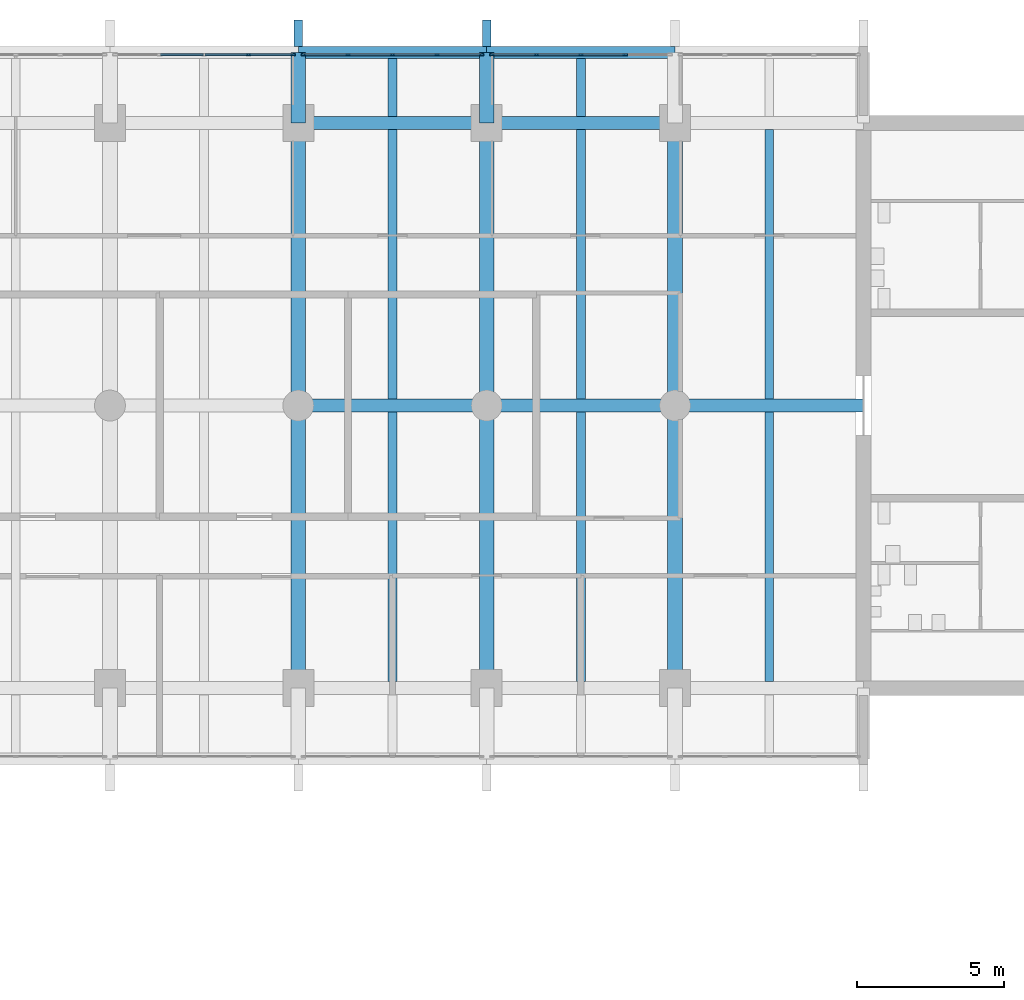
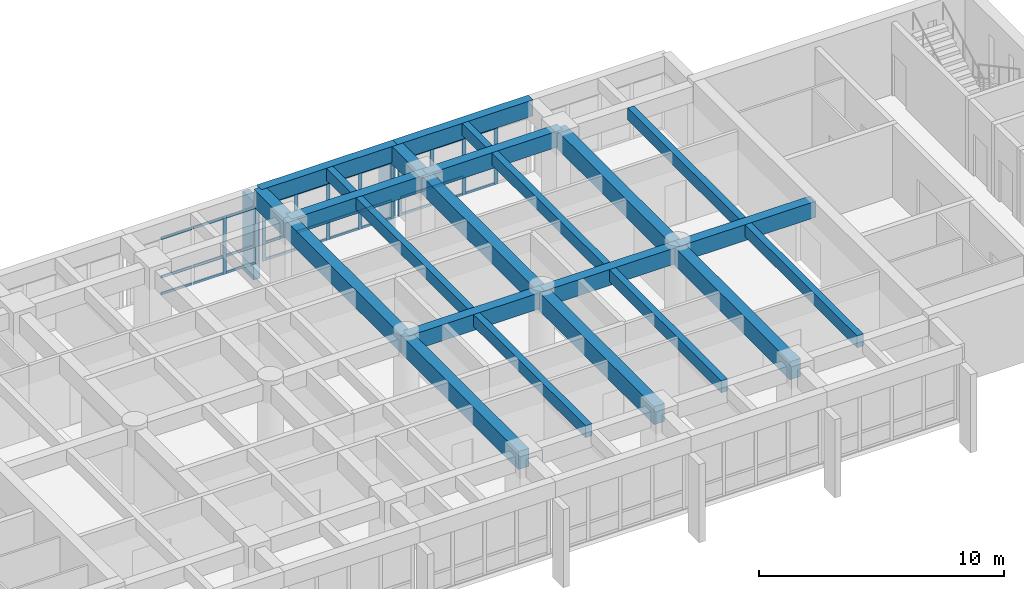
# One storey, part 5 of 19: 43 members, 23 beams, 3 elements without a shape of their own.
"""IFC4 building model written with IfcOpenShell, lengths in metres."""

from ifc_helpers import new_model, si_unit, direction, frame, origin, origin_2d, place, context, subcontext, project, spatial, rectangle, extrude, material, layer, layer_set, material_profile, profile_set, type_object, element, aggregate, save


model = new_model("IFC4")

# Units and contexts
model_context = context("Model", 3, precision=1e-05, world=origin(), true_north=direction((0.0, 1.0)))
body_context = subcontext(model_context, "Body", "Model", "MODEL_VIEW")
ifc_project = project(units=[si_unit("LENGTHUNIT", "METRE"), si_unit("AREAUNIT", "SQUARE_METRE"), si_unit("VOLUMEUNIT", "CUBIC_METRE"), si_unit("PLANEANGLEUNIT", "RADIAN"), si_unit("MASSUNIT", "GRAM", prefix="KILO")], contexts=[model_context])

# Site, building, storey
site_placement = place(None, origin())
site = spatial("IfcSite", under=ifc_project, at=site_placement, CompositionType="ELEMENT")
building_placement = place(site_placement, origin())
building = spatial("IfcBuilding", under=site, at=building_placement, Name="Fogon Plaza Fire Station and Headquarters Tower", CompositionType="ELEMENT")
storey_placement = place(building_placement, frame((0.0, 0.0, 21.0)))
storey = spatial("IfcBuildingStorey", under=building, at=storey_placement, Name="L05", CompositionType="ELEMENT", Elevation=21.0)

# Beams
ifc_material_1 = material(Name="Concrete C40", Category="concrete")
ifc_material_profile_1 = material_profile(ifc_material_1, rectangle(XDim=0.39990234375, YDim=0.800048828125, at=origin_2d()), Name="RC 400x800")
ifc_profile_set_1 = profile_set([ifc_material_profile_1], Name="Concrete C40")
beam_type_1 = type_object("IfcBeamType", Name="BEAM RC 400x800", PredefinedType="BEAM", material=ifc_profile_set_1)
beam_1_placement = place(storey_placement, frame((44.800048828125, 55.199951171875, 3.280029296875), z_axis=(1.0, 0.0, 0.0), x_axis=(0.0, 1.0, 0.0)))
element("IfcBeam", 1, at=beam_1_placement, inside=storey, type_object=beam_type_1, Name="beam-L05-048", PredefinedType="BEAM", context=body_context, shape_type="SweptSolid", body=[
    extrude(rectangle(XDim=0.39990234375, YDim=0.800048828125, at=origin_2d()), origin(), (0.0, 0.0, 1.0), 6.39990234375),
])
beam_2_placement = place(storey_placement, frame((51.199951171875, 55.199951171875, 3.280029296875), z_axis=(1.0, 0.0, 0.0), x_axis=(0.0, 1.0, 0.0)))
element("IfcBeam", 2, at=beam_2_placement, inside=storey, type_object=beam_type_1, Name="beam-L05-049", PredefinedType="BEAM", context=body_context, shape_type="SweptSolid", body=[
    extrude(rectangle(XDim=0.39990234375, YDim=0.800048828125, at=origin_2d()), origin(), (0.0, 0.0, 1.0), 6.400146484375),
])
ifc_material_2 = material(Name="Concrete C40", Category="concrete")
ifc_material_profile_2 = material_profile(ifc_material_2, rectangle(XDim=0.449951171875, YDim=0.800048828125, at=origin_2d()), Name="RC 450x800")
ifc_profile_set_2 = profile_set([ifc_material_profile_2], Name="Concrete C40")
beam_type_2 = type_object("IfcBeamType", Name="BEAM RC 450x800", PredefinedType="BEAM", material=ifc_profile_set_2)
beam_3_placement = place(storey_placement, frame((44.800048828125, 43.199951171875, 3.280029296875), z_axis=(1.0, 0.0, 0.0), x_axis=(0.0, 1.0, 0.0)))
element("IfcBeam", 3, at=beam_3_placement, inside=storey, type_object=beam_type_2, Name="beam-L05-030", PredefinedType="BEAM", context=body_context, shape_type="SweptSolid", body=[
    extrude(rectangle(XDim=0.449951171875, YDim=0.800048828125, at=origin_2d()), origin(), (0.0, 0.0, 1.0), 6.39990234375),
])
beam_4_placement = place(storey_placement, frame((51.199951171875, 43.199951171875, 3.280029296875), z_axis=(1.0, 0.0, 0.0), x_axis=(0.0, 1.0, 0.0)))
element("IfcBeam", 4, at=beam_4_placement, inside=storey, type_object=beam_type_2, Name="beam-L05-031", PredefinedType="BEAM", context=body_context, shape_type="SweptSolid", body=[
    extrude(rectangle(XDim=0.449951171875, YDim=0.800048828125, at=origin_2d()), origin(), (0.0, 0.0, 1.0), 6.400146484375),
])
for number, where, z_axis, x_axis, name in (
    (5, (57.60009765625, 43.199951171875, 3.280029296875), (1.0, 0.0, 0.0), (0.0, 1.0, 0.0), "beam-L05-032"),
    (6, (44.800048828125, 52.800048828125, 3.280029296875), (1.0, 0.0, 0.0), (0.0, 1.0, 0.0), "beam-L05-036"),
):
    element("IfcBeam", number, at=place(storey_placement, frame(where, z_axis=z_axis, x_axis=x_axis)), inside=storey, type_object=beam_type_2, Name=name, PredefinedType="BEAM", context=body_context, shape_type="SweptSolid", body=[
        extrude(rectangle(XDim=0.449951171875, YDim=0.800048828125, at=origin_2d()), origin(), (0.0, 0.0, 1.0), 6.39990234375),
    ])
beam_5_placement = place(storey_placement, frame((51.199951171875, 52.800048828125, 3.280029296875), z_axis=(1.0, 0.0, 0.0), x_axis=(0.0, 1.0, 0.0)))
element("IfcBeam", 7, at=beam_5_placement, inside=storey, type_object=beam_type_2, Name="beam-L05-037", PredefinedType="BEAM", context=body_context, shape_type="SweptSolid", body=[
    extrude(rectangle(XDim=0.449951171875, YDim=0.800048828125, at=origin_2d()), origin(), (0.0, 0.0, 1.0), 6.400146484375),
])
ifc_material_3 = material(Name="Concrete C40", Category="concrete")
ifc_material_profile_3 = material_profile(ifc_material_3, rectangle(XDim=0.5, YDim=0.89990234375, at=origin_2d()), Name="RC 500x900")
ifc_profile_set_3 = profile_set([ifc_material_profile_3], Name="Concrete C40")
beam_type_3 = type_object("IfcBeamType", Name="BEAM RC 500x900 SPAN 0.0 TO 3.0 M", PredefinedType="BEAM", material=ifc_profile_set_3)
for number, where, z_axis, x_axis, name in (
    (8, (44.800048828125, 52.800048828125, 3.22998046875), (0.0, 1.0, 0.0), (-1.0, 0.0, 0.0), "beam-L05-012"),
    (9, (51.199951171875, 52.800048828125, 3.22998046875), (0.0, 1.0, 0.0), (-1.0, 0.0, 0.0), "beam-L05-016"),
):
    element("IfcBeam", number, at=place(storey_placement, frame(where, z_axis=z_axis, x_axis=x_axis)), inside=storey, type_object=beam_type_3, Name=name, PredefinedType="BEAM", context=body_context, shape_type="SweptSolid", body=[
        extrude(rectangle(XDim=0.5, YDim=0.89990234375, at=origin_2d()), origin(), (0.0, 0.0, 1.0), 2.39990234375),
    ])
ifc_material_4 = material(Name="Concrete C40", Category="concrete")
ifc_material_profile_4 = material_profile(ifc_material_4, rectangle(XDim=0.5, YDim=0.89990234375, at=origin_2d()), Name="RC 500x900")
ifc_profile_set_4 = profile_set([ifc_material_profile_4], Name="Concrete C40")
beam_type_4 = type_object("IfcBeamType", Name="BEAM RC 500x900 SPAN 7.7 TO 12.3 M", PredefinedType="BEAM", material=ifc_profile_set_4)
beam_6_placement = place(storey_placement, frame((44.800048828125, 33.60009765625, 3.22998046875), z_axis=(0.0, 1.0, 0.0), x_axis=(-1.0, 0.0, 0.0)))
element("IfcBeam", 10, at=beam_6_placement, inside=storey, type_object=beam_type_4, Name="beam-L05-010", PredefinedType="BEAM", context=body_context, shape_type="SweptSolid", body=[
    extrude(rectangle(XDim=0.5, YDim=0.89990234375, at=origin_2d()), origin(), (0.0, 0.0, 1.0), 9.599853515625),
])
beam_7_placement = place(storey_placement, frame((44.800048828125, 43.199951171875, 3.22998046875), z_axis=(0.0, 1.0, 0.0), x_axis=(-1.0, 0.0, 0.0)))
element("IfcBeam", 11, at=beam_7_placement, inside=storey, type_object=beam_type_4, Name="beam-L05-011", PredefinedType="BEAM", context=body_context, shape_type="SweptSolid", body=[
    extrude(rectangle(XDim=0.5, YDim=0.89990234375, at=origin_2d()), origin(), (0.0, 0.0, 1.0), 9.60009765625),
])
beam_8_placement = place(storey_placement, frame((51.199951171875, 33.60009765625, 3.22998046875), z_axis=(0.0, 1.0, 0.0), x_axis=(-1.0, 0.0, 0.0)))
element("IfcBeam", 12, at=beam_8_placement, inside=storey, type_object=beam_type_4, Name="beam-L05-014", PredefinedType="BEAM", context=body_context, shape_type="SweptSolid", body=[
    extrude(rectangle(XDim=0.5, YDim=0.89990234375, at=origin_2d()), origin(), (0.0, 0.0, 1.0), 9.599853515625),
])
beam_9_placement = place(storey_placement, frame((51.199951171875, 43.199951171875, 3.22998046875), z_axis=(0.0, 1.0, 0.0), x_axis=(-1.0, 0.0, 0.0)))
element("IfcBeam", 13, at=beam_9_placement, inside=storey, type_object=beam_type_4, Name="beam-L05-015", PredefinedType="BEAM", context=body_context, shape_type="SweptSolid", body=[
    extrude(rectangle(XDim=0.5, YDim=0.89990234375, at=origin_2d()), origin(), (0.0, 0.0, 1.0), 9.60009765625),
])
beam_10_placement = place(storey_placement, frame((57.60009765625, 33.60009765625, 3.22998046875), z_axis=(0.0, 1.0, 0.0), x_axis=(-1.0, 0.0, 0.0)))
element("IfcBeam", 14, at=beam_10_placement, inside=storey, type_object=beam_type_4, Name="beam-L05-018", PredefinedType="BEAM", context=body_context, shape_type="SweptSolid", body=[
    extrude(rectangle(XDim=0.5, YDim=0.89990234375, at=origin_2d()), origin(), (0.0, 0.0, 1.0), 9.599853515625),
])
beam_11_placement = place(storey_placement, frame((57.60009765625, 43.199951171875, 3.22998046875), z_axis=(0.0, 1.0, 0.0), x_axis=(-1.0, 0.0, 0.0)))
element("IfcBeam", 15, at=beam_11_placement, inside=storey, type_object=beam_type_4, Name="beam-L05-019", PredefinedType="BEAM", context=body_context, shape_type="SweptSolid", body=[
    extrude(rectangle(XDim=0.5, YDim=0.89990234375, at=origin_2d()), origin(), (0.0, 0.0, 1.0), 9.60009765625),
])

# Curtain wall, members
ifc_material_5 = material(Name="Aluminium and glass", Category="aluminium")
ifc_layer = layer(ifc_material_5, 0.14990234375)
ifc_layer_set = layer_set([ifc_layer], Name="Aluminium and glass")
curtain_wall_type = type_object("IfcCurtainWallType", Name="Unitised Curtain Wall Run 6100x2880", PredefinedType="NOTDEFINED", material=ifc_layer_set)
curtain_wall_1_placement = place(storey_placement, origin())
curtain_wall_1 = element("IfcCurtainWall", 16, at=curtain_wall_1_placement, inside=storey, type_object=curtain_wall_type, Name="CW-6100x2880 N3 L05", PredefinedType="NOTDEFINED")
ifc_material_6 = material(Name="Aluminium", Category="aluminium")
ifc_material_profile_5 = material_profile(ifc_material_6, rectangle(XDim=0.06005859375, YDim=0.159912109375, at=origin_2d()), Name="Curtain Wall Mullion 60x160")
ifc_profile_set_5 = profile_set([ifc_material_profile_5], Name="Aluminium")
member_type_1 = type_object("IfcMemberType", Name="Curtain Wall Mullion 60x160", PredefinedType="MULLION", material=ifc_profile_set_5)
member_1_placement = place(storey_placement, frame((43.110107421875, 55.1201171875, 0.0), z_axis=(0.0, 0.0, 1.0), x_axis=(0.0, 1.0, 0.0)))
member_1 = element("IfcMember", 17, at=member_1_placement, type_object=member_type_1, Name="CW-6100x2880 mullion 4", PredefinedType="MULLION", context=body_context, shape_type="SweptSolid", body=[
    extrude(rectangle(XDim=0.06005859375, YDim=0.159912109375, at=origin_2d()), origin(), (0.0, 0.0, 1.0), 2.8798828125),
])
member_2_placement = place(storey_placement, frame((44.6201171875, 55.1201171875, 0.0), z_axis=(0.0, 0.0, 1.0), x_axis=(0.0, 1.0, 0.0)))
member_2 = element("IfcMember", 18, at=member_2_placement, type_object=member_type_1, Name="CW-6100x2880 mullion 5", PredefinedType="MULLION", context=body_context, shape_type="SweptSolid", body=[
    extrude(rectangle(XDim=0.06005859375, YDim=0.159912109375, at=origin_2d()), origin(), (0.0, 0.0, 1.0), 2.8798828125),
])

curtain_wall_2_placement = place(storey_placement, origin())
curtain_wall_2 = element("IfcCurtainWall", 19, at=curtain_wall_2_placement, inside=storey, type_object=curtain_wall_type, Name="CW-6100x2880 N4 L05", PredefinedType="NOTDEFINED")
member_3_placement = place(storey_placement, frame((44.97998046875, 55.1201171875, 0.0), z_axis=(0.0, 0.0, 1.0), x_axis=(0.0, 1.0, 0.0)))
member_3 = element("IfcMember", 20, at=member_3_placement, type_object=member_type_1, Name="CW-6100x2880 mullion 1", PredefinedType="MULLION", context=body_context, shape_type="SweptSolid", body=[
    extrude(rectangle(XDim=0.06005859375, YDim=0.159912109375, at=origin_2d()), origin(), (0.0, 0.0, 1.0), 2.8798828125),
])
member_4_placement = place(storey_placement, frame((46.489990234375, 55.1201171875, 0.0), z_axis=(0.0, 0.0, 1.0), x_axis=(0.0, 1.0, 0.0)))
member_4 = element("IfcMember", 21, at=member_4_placement, type_object=member_type_1, Name="CW-6100x2880 mullion 2", PredefinedType="MULLION", context=body_context, shape_type="SweptSolid", body=[
    extrude(rectangle(XDim=0.06005859375, YDim=0.159912109375, at=origin_2d()), origin(), (0.0, 0.0, 1.0), 2.8798828125),
])
member_5_placement = place(storey_placement, frame((48.0, 55.1201171875, 0.0), z_axis=(0.0, 0.0, 1.0), x_axis=(0.0, 1.0, 0.0)))
member_5 = element("IfcMember", 22, at=member_5_placement, type_object=member_type_1, Name="CW-6100x2880 mullion 3", PredefinedType="MULLION", context=body_context, shape_type="SweptSolid", body=[
    extrude(rectangle(XDim=0.06005859375, YDim=0.159912109375, at=origin_2d()), origin(), (0.0, 0.0, 1.0), 2.8798828125),
])
member_6_placement = place(storey_placement, frame((49.510009765625, 55.1201171875, 0.0), z_axis=(0.0, 0.0, 1.0), x_axis=(0.0, 1.0, 0.0)))
member_6 = element("IfcMember", 23, at=member_6_placement, type_object=member_type_1, Name="CW-6100x2880 mullion 4", PredefinedType="MULLION", context=body_context, shape_type="SweptSolid", body=[
    extrude(rectangle(XDim=0.06005859375, YDim=0.159912109375, at=origin_2d()), origin(), (0.0, 0.0, 1.0), 2.8798828125),
])
member_7_placement = place(storey_placement, frame((51.02001953125, 55.1201171875, 0.0), z_axis=(0.0, 0.0, 1.0), x_axis=(0.0, 1.0, 0.0)))
member_7 = element("IfcMember", 24, at=member_7_placement, type_object=member_type_1, Name="CW-6100x2880 mullion 5", PredefinedType="MULLION", context=body_context, shape_type="SweptSolid", body=[
    extrude(rectangle(XDim=0.06005859375, YDim=0.159912109375, at=origin_2d()), origin(), (0.0, 0.0, 1.0), 2.8798828125),
])

curtain_wall_3_placement = place(storey_placement, origin())
curtain_wall_3 = element("IfcCurtainWall", 25, at=curtain_wall_3_placement, inside=storey, type_object=curtain_wall_type, Name="CW-6100x2880 N5 L05", PredefinedType="NOTDEFINED")
member_8_placement = place(storey_placement, frame((51.3798828125, 55.1201171875, 0.0), z_axis=(0.0, 0.0, 1.0), x_axis=(0.0, 1.0, 0.0)))
member_8 = element("IfcMember", 26, at=member_8_placement, type_object=member_type_1, Name="CW-6100x2880 mullion 1", PredefinedType="MULLION", context=body_context, shape_type="SweptSolid", body=[
    extrude(rectangle(XDim=0.06005859375, YDim=0.159912109375, at=origin_2d()), origin(), (0.0, 0.0, 1.0), 2.8798828125),
])
member_9_placement = place(storey_placement, frame((52.889892578125, 55.1201171875, 0.0), z_axis=(0.0, 0.0, 1.0), x_axis=(0.0, 1.0, 0.0)))
member_9 = element("IfcMember", 27, at=member_9_placement, type_object=member_type_1, Name="CW-6100x2880 mullion 2", PredefinedType="MULLION", context=body_context, shape_type="SweptSolid", body=[
    extrude(rectangle(XDim=0.06005859375, YDim=0.159912109375, at=origin_2d()), origin(), (0.0, 0.0, 1.0), 2.8798828125),
])
member_10_placement = place(storey_placement, frame((54.39990234375, 55.1201171875, 0.0), z_axis=(0.0, 0.0, 1.0), x_axis=(0.0, 1.0, 0.0)))
member_10 = element("IfcMember", 28, at=member_10_placement, type_object=member_type_1, Name="CW-6100x2880 mullion 3", PredefinedType="MULLION", context=body_context, shape_type="SweptSolid", body=[
    extrude(rectangle(XDim=0.06005859375, YDim=0.159912109375, at=origin_2d()), origin(), (0.0, 0.0, 1.0), 2.8798828125),
])
member_11_placement = place(storey_placement, frame((55.909912109375, 55.1201171875, 0.0), z_axis=(0.0, 0.0, 1.0), x_axis=(0.0, 1.0, 0.0)))
member_11 = element("IfcMember", 29, at=member_11_placement, type_object=member_type_1, Name="CW-6100x2880 mullion 4", PredefinedType="MULLION", context=body_context, shape_type="SweptSolid", body=[
    extrude(rectangle(XDim=0.06005859375, YDim=0.159912109375, at=origin_2d()), origin(), (0.0, 0.0, 1.0), 2.8798828125),
])

# Member
ifc_material_7 = material(Name="Aluminium", Category="aluminium")
ifc_material_profile_6 = material_profile(ifc_material_7, rectangle(XDim=0.06005859375, YDim=0.1201171875, at=origin_2d()), Name="Curtain Wall Transom 60x120")
ifc_profile_set_6 = profile_set([ifc_material_profile_6], Name="Aluminium")
member_type_2 = type_object("IfcMemberType", Name="Curtain Wall Transom 60x120", PredefinedType="USERDEFINED", material=ifc_profile_set_6)
member_12_placement = place(storey_placement, frame((40.1201171875, 55.1201171875, 0.06005859375), z_axis=(1.0, 0.0, 0.0), x_axis=(0.0, 1.0, 0.0)))
member_12 = element("IfcMember", 30, at=member_12_placement, type_object=member_type_2, Name="CW-6100x2880 transom 2.1", ObjectType="TRANSOM", PredefinedType="USERDEFINED", context=body_context, shape_type="SweptSolid", body=[
    extrude(rectangle(XDim=0.06005859375, YDim=0.1201171875, at=origin_2d()), origin(), (0.0, 0.0, 1.0), 1.449951171875),
])

member_13_placement = place(storey_placement, frame((40.1201171875, 55.1201171875, 0.89990234375), z_axis=(1.0, 0.0, 0.0), x_axis=(0.0, 1.0, 0.0)))
member_13 = element("IfcMember", 31, at=member_13_placement, type_object=member_type_2, Name="CW-6100x2880 transom 2.2", ObjectType="TRANSOM", PredefinedType="USERDEFINED", context=body_context, shape_type="SweptSolid", body=[
    extrude(rectangle(XDim=0.06005859375, YDim=0.1201171875, at=origin_2d()), origin(), (0.0, 0.0, 1.0), 1.449951171875),
])

member_14_placement = place(storey_placement, frame((40.1201171875, 55.1201171875, 2.820068359375), z_axis=(1.0, 0.0, 0.0), x_axis=(0.0, 1.0, 0.0)))
member_14 = element("IfcMember", 32, at=member_14_placement, type_object=member_type_2, Name="CW-6100x2880 transom 2.3", ObjectType="TRANSOM", PredefinedType="USERDEFINED", context=body_context, shape_type="SweptSolid", body=[
    extrude(rectangle(XDim=0.06005859375, YDim=0.1201171875, at=origin_2d()), origin(), (0.0, 0.0, 1.0), 1.449951171875),
])

member_15_placement = place(storey_placement, frame((41.6298828125, 55.1201171875, 0.06005859375), z_axis=(1.0, 0.0, 0.0), x_axis=(0.0, 1.0, 0.0)))
member_15 = element("IfcMember", 33, at=member_15_placement, type_object=member_type_2, Name="CW-6100x2880 transom 3.1", ObjectType="TRANSOM", PredefinedType="USERDEFINED", context=body_context, shape_type="SweptSolid", body=[
    extrude(rectangle(XDim=0.06005859375, YDim=0.1201171875, at=origin_2d()), origin(), (0.0, 0.0, 1.0), 1.4501953125),
])

member_16_placement = place(storey_placement, frame((41.6298828125, 55.1201171875, 0.89990234375), z_axis=(1.0, 0.0, 0.0), x_axis=(0.0, 1.0, 0.0)))
member_16 = element("IfcMember", 34, at=member_16_placement, type_object=member_type_2, Name="CW-6100x2880 transom 3.2", ObjectType="TRANSOM", PredefinedType="USERDEFINED", context=body_context, shape_type="SweptSolid", body=[
    extrude(rectangle(XDim=0.06005859375, YDim=0.1201171875, at=origin_2d()), origin(), (0.0, 0.0, 1.0), 1.4501953125),
])

member_17_placement = place(storey_placement, frame((41.6298828125, 55.1201171875, 2.820068359375), z_axis=(1.0, 0.0, 0.0), x_axis=(0.0, 1.0, 0.0)))
member_17 = element("IfcMember", 35, at=member_17_placement, type_object=member_type_2, Name="CW-6100x2880 transom 3.3", ObjectType="TRANSOM", PredefinedType="USERDEFINED", context=body_context, shape_type="SweptSolid", body=[
    extrude(rectangle(XDim=0.06005859375, YDim=0.1201171875, at=origin_2d()), origin(), (0.0, 0.0, 1.0), 1.4501953125),
])

member_18_placement = place(storey_placement, frame((43.139892578125, 55.1201171875, 0.06005859375), z_axis=(1.0, 0.0, 0.0), x_axis=(0.0, 1.0, 0.0)))
member_18 = element("IfcMember", 36, at=member_18_placement, type_object=member_type_2, Name="CW-6100x2880 transom 4.1", ObjectType="TRANSOM", PredefinedType="USERDEFINED", context=body_context, shape_type="SweptSolid", body=[
    extrude(rectangle(XDim=0.06005859375, YDim=0.1201171875, at=origin_2d()), origin(), (0.0, 0.0, 1.0), 1.4501953125),
])

member_19_placement = place(storey_placement, frame((43.139892578125, 55.1201171875, 0.89990234375), z_axis=(1.0, 0.0, 0.0), x_axis=(0.0, 1.0, 0.0)))
member_19 = element("IfcMember", 37, at=member_19_placement, type_object=member_type_2, Name="CW-6100x2880 transom 4.2", ObjectType="TRANSOM", PredefinedType="USERDEFINED", context=body_context, shape_type="SweptSolid", body=[
    extrude(rectangle(XDim=0.06005859375, YDim=0.1201171875, at=origin_2d()), origin(), (0.0, 0.0, 1.0), 1.4501953125),
])

member_20_placement = place(storey_placement, frame((43.139892578125, 55.1201171875, 2.820068359375), z_axis=(1.0, 0.0, 0.0), x_axis=(0.0, 1.0, 0.0)))
member_20 = element("IfcMember", 38, at=member_20_placement, type_object=member_type_2, Name="CW-6100x2880 transom 4.3", ObjectType="TRANSOM", PredefinedType="USERDEFINED", context=body_context, shape_type="SweptSolid", body=[
    extrude(rectangle(XDim=0.06005859375, YDim=0.1201171875, at=origin_2d()), origin(), (0.0, 0.0, 1.0), 1.4501953125),
])

aggregate(curtain_wall_1, [member_1, member_2, member_12, member_13, member_14, member_15, member_16, member_17, member_18, member_19, member_20])

member_21_placement = place(storey_placement, frame((45.010009765625, 55.1201171875, 0.06005859375), z_axis=(1.0, 0.0, 0.0), x_axis=(0.0, 1.0, 0.0)))
member_21 = element("IfcMember", 39, at=member_21_placement, type_object=member_type_2, Name="CW-6100x2880 transom 1.1", ObjectType="TRANSOM", PredefinedType="USERDEFINED", context=body_context, shape_type="SweptSolid", body=[
    extrude(rectangle(XDim=0.06005859375, YDim=0.1201171875, at=origin_2d()), origin(), (0.0, 0.0, 1.0), 1.449951171875),
])

member_22_placement = place(storey_placement, frame((45.010009765625, 55.1201171875, 0.89990234375), z_axis=(1.0, 0.0, 0.0), x_axis=(0.0, 1.0, 0.0)))
member_22 = element("IfcMember", 40, at=member_22_placement, type_object=member_type_2, Name="CW-6100x2880 transom 1.2", ObjectType="TRANSOM", PredefinedType="USERDEFINED", context=body_context, shape_type="SweptSolid", body=[
    extrude(rectangle(XDim=0.06005859375, YDim=0.1201171875, at=origin_2d()), origin(), (0.0, 0.0, 1.0), 1.449951171875),
])

member_23_placement = place(storey_placement, frame((45.010009765625, 55.1201171875, 2.820068359375), z_axis=(1.0, 0.0, 0.0), x_axis=(0.0, 1.0, 0.0)))
member_23 = element("IfcMember", 41, at=member_23_placement, type_object=member_type_2, Name="CW-6100x2880 transom 1.3", ObjectType="TRANSOM", PredefinedType="USERDEFINED", context=body_context, shape_type="SweptSolid", body=[
    extrude(rectangle(XDim=0.06005859375, YDim=0.1201171875, at=origin_2d()), origin(), (0.0, 0.0, 1.0), 1.449951171875),
])

member_24_placement = place(storey_placement, frame((46.52001953125, 55.1201171875, 0.06005859375), z_axis=(1.0, 0.0, 0.0), x_axis=(0.0, 1.0, 0.0)))
member_24 = element("IfcMember", 42, at=member_24_placement, type_object=member_type_2, Name="CW-6100x2880 transom 2.1", ObjectType="TRANSOM", PredefinedType="USERDEFINED", context=body_context, shape_type="SweptSolid", body=[
    extrude(rectangle(XDim=0.06005859375, YDim=0.1201171875, at=origin_2d()), origin(), (0.0, 0.0, 1.0), 1.449951171875),
])

member_25_placement = place(storey_placement, frame((46.52001953125, 55.1201171875, 0.89990234375), z_axis=(1.0, 0.0, 0.0), x_axis=(0.0, 1.0, 0.0)))
member_25 = element("IfcMember", 43, at=member_25_placement, type_object=member_type_2, Name="CW-6100x2880 transom 2.2", ObjectType="TRANSOM", PredefinedType="USERDEFINED", context=body_context, shape_type="SweptSolid", body=[
    extrude(rectangle(XDim=0.06005859375, YDim=0.1201171875, at=origin_2d()), origin(), (0.0, 0.0, 1.0), 1.449951171875),
])

member_26_placement = place(storey_placement, frame((46.52001953125, 55.1201171875, 2.820068359375), z_axis=(1.0, 0.0, 0.0), x_axis=(0.0, 1.0, 0.0)))
member_26 = element("IfcMember", 44, at=member_26_placement, type_object=member_type_2, Name="CW-6100x2880 transom 2.3", ObjectType="TRANSOM", PredefinedType="USERDEFINED", context=body_context, shape_type="SweptSolid", body=[
    extrude(rectangle(XDim=0.06005859375, YDim=0.1201171875, at=origin_2d()), origin(), (0.0, 0.0, 1.0), 1.449951171875),
])

member_27_placement = place(storey_placement, frame((48.030029296875, 55.1201171875, 0.06005859375), z_axis=(1.0, 0.0, 0.0), x_axis=(0.0, 1.0, 0.0)))
member_27 = element("IfcMember", 45, at=member_27_placement, type_object=member_type_2, Name="CW-6100x2880 transom 3.1", ObjectType="TRANSOM", PredefinedType="USERDEFINED", context=body_context, shape_type="SweptSolid", body=[
    extrude(rectangle(XDim=0.06005859375, YDim=0.1201171875, at=origin_2d()), origin(), (0.0, 0.0, 1.0), 1.449951171875),
])

member_28_placement = place(storey_placement, frame((48.030029296875, 55.1201171875, 0.89990234375), z_axis=(1.0, 0.0, 0.0), x_axis=(0.0, 1.0, 0.0)))
member_28 = element("IfcMember", 46, at=member_28_placement, type_object=member_type_2, Name="CW-6100x2880 transom 3.2", ObjectType="TRANSOM", PredefinedType="USERDEFINED", context=body_context, shape_type="SweptSolid", body=[
    extrude(rectangle(XDim=0.06005859375, YDim=0.1201171875, at=origin_2d()), origin(), (0.0, 0.0, 1.0), 1.449951171875),
])

member_29_placement = place(storey_placement, frame((48.030029296875, 55.1201171875, 2.820068359375), z_axis=(1.0, 0.0, 0.0), x_axis=(0.0, 1.0, 0.0)))
member_29 = element("IfcMember", 47, at=member_29_placement, type_object=member_type_2, Name="CW-6100x2880 transom 3.3", ObjectType="TRANSOM", PredefinedType="USERDEFINED", context=body_context, shape_type="SweptSolid", body=[
    extrude(rectangle(XDim=0.06005859375, YDim=0.1201171875, at=origin_2d()), origin(), (0.0, 0.0, 1.0), 1.449951171875),
])

member_30_placement = place(storey_placement, frame((49.5400390625, 55.1201171875, 0.06005859375), z_axis=(1.0, 0.0, 0.0), x_axis=(0.0, 1.0, 0.0)))
member_30 = element("IfcMember", 48, at=member_30_placement, type_object=member_type_2, Name="CW-6100x2880 transom 4.1", ObjectType="TRANSOM", PredefinedType="USERDEFINED", context=body_context, shape_type="SweptSolid", body=[
    extrude(rectangle(XDim=0.06005859375, YDim=0.1201171875, at=origin_2d()), origin(), (0.0, 0.0, 1.0), 1.449951171875),
])

member_31_placement = place(storey_placement, frame((49.5400390625, 55.1201171875, 0.89990234375), z_axis=(1.0, 0.0, 0.0), x_axis=(0.0, 1.0, 0.0)))
member_31 = element("IfcMember", 49, at=member_31_placement, type_object=member_type_2, Name="CW-6100x2880 transom 4.2", ObjectType="TRANSOM", PredefinedType="USERDEFINED", context=body_context, shape_type="SweptSolid", body=[
    extrude(rectangle(XDim=0.06005859375, YDim=0.1201171875, at=origin_2d()), origin(), (0.0, 0.0, 1.0), 1.449951171875),
])

member_32_placement = place(storey_placement, frame((49.5400390625, 55.1201171875, 2.820068359375), z_axis=(1.0, 0.0, 0.0), x_axis=(0.0, 1.0, 0.0)))
member_32 = element("IfcMember", 50, at=member_32_placement, type_object=member_type_2, Name="CW-6100x2880 transom 4.3", ObjectType="TRANSOM", PredefinedType="USERDEFINED", context=body_context, shape_type="SweptSolid", body=[
    extrude(rectangle(XDim=0.06005859375, YDim=0.1201171875, at=origin_2d()), origin(), (0.0, 0.0, 1.0), 1.449951171875),
])

aggregate(curtain_wall_2, [member_3, member_4, member_5, member_6, member_7, member_21, member_22, member_23, member_24, member_25, member_26, member_27, member_28, member_29, member_30, member_31, member_32])

member_33_placement = place(storey_placement, frame((51.409912109375, 55.1201171875, 0.06005859375), z_axis=(1.0, 0.0, 0.0), x_axis=(0.0, 1.0, 0.0)))
member_33 = element("IfcMember", 51, at=member_33_placement, type_object=member_type_2, Name="CW-6100x2880 transom 1.1", ObjectType="TRANSOM", PredefinedType="USERDEFINED", context=body_context, shape_type="SweptSolid", body=[
    extrude(rectangle(XDim=0.06005859375, YDim=0.1201171875, at=origin_2d()), origin(), (0.0, 0.0, 1.0), 1.4501953125),
])

member_34_placement = place(storey_placement, frame((51.409912109375, 55.1201171875, 0.89990234375), z_axis=(1.0, 0.0, 0.0), x_axis=(0.0, 1.0, 0.0)))
member_34 = element("IfcMember", 52, at=member_34_placement, type_object=member_type_2, Name="CW-6100x2880 transom 1.2", ObjectType="TRANSOM", PredefinedType="USERDEFINED", context=body_context, shape_type="SweptSolid", body=[
    extrude(rectangle(XDim=0.06005859375, YDim=0.1201171875, at=origin_2d()), origin(), (0.0, 0.0, 1.0), 1.4501953125),
])

member_35_placement = place(storey_placement, frame((51.409912109375, 55.1201171875, 2.820068359375), z_axis=(1.0, 0.0, 0.0), x_axis=(0.0, 1.0, 0.0)))
member_35 = element("IfcMember", 53, at=member_35_placement, type_object=member_type_2, Name="CW-6100x2880 transom 1.3", ObjectType="TRANSOM", PredefinedType="USERDEFINED", context=body_context, shape_type="SweptSolid", body=[
    extrude(rectangle(XDim=0.06005859375, YDim=0.1201171875, at=origin_2d()), origin(), (0.0, 0.0, 1.0), 1.4501953125),
])

member_36_placement = place(storey_placement, frame((52.919921875, 55.1201171875, 0.06005859375), z_axis=(1.0, 0.0, 0.0), x_axis=(0.0, 1.0, 0.0)))
member_36 = element("IfcMember", 54, at=member_36_placement, type_object=member_type_2, Name="CW-6100x2880 transom 2.1", ObjectType="TRANSOM", PredefinedType="USERDEFINED", context=body_context, shape_type="SweptSolid", body=[
    extrude(rectangle(XDim=0.06005859375, YDim=0.1201171875, at=origin_2d()), origin(), (0.0, 0.0, 1.0), 1.4501953125),
])

member_37_placement = place(storey_placement, frame((52.919921875, 55.1201171875, 0.89990234375), z_axis=(1.0, 0.0, 0.0), x_axis=(0.0, 1.0, 0.0)))
member_37 = element("IfcMember", 55, at=member_37_placement, type_object=member_type_2, Name="CW-6100x2880 transom 2.2", ObjectType="TRANSOM", PredefinedType="USERDEFINED", context=body_context, shape_type="SweptSolid", body=[
    extrude(rectangle(XDim=0.06005859375, YDim=0.1201171875, at=origin_2d()), origin(), (0.0, 0.0, 1.0), 1.4501953125),
])

member_38_placement = place(storey_placement, frame((52.919921875, 55.1201171875, 2.820068359375), z_axis=(1.0, 0.0, 0.0), x_axis=(0.0, 1.0, 0.0)))
member_38 = element("IfcMember", 56, at=member_38_placement, type_object=member_type_2, Name="CW-6100x2880 transom 2.3", ObjectType="TRANSOM", PredefinedType="USERDEFINED", context=body_context, shape_type="SweptSolid", body=[
    extrude(rectangle(XDim=0.06005859375, YDim=0.1201171875, at=origin_2d()), origin(), (0.0, 0.0, 1.0), 1.4501953125),
])

member_39_placement = place(storey_placement, frame((54.429931640625, 55.1201171875, 0.06005859375), z_axis=(1.0, 0.0, 0.0), x_axis=(0.0, 1.0, 0.0)))
member_39 = element("IfcMember", 57, at=member_39_placement, type_object=member_type_2, Name="CW-6100x2880 transom 3.1", ObjectType="TRANSOM", PredefinedType="USERDEFINED", context=body_context, shape_type="SweptSolid", body=[
    extrude(rectangle(XDim=0.06005859375, YDim=0.1201171875, at=origin_2d()), origin(), (0.0, 0.0, 1.0), 1.449951171875),
])

member_40_placement = place(storey_placement, frame((54.429931640625, 55.1201171875, 0.89990234375), z_axis=(1.0, 0.0, 0.0), x_axis=(0.0, 1.0, 0.0)))
member_40 = element("IfcMember", 58, at=member_40_placement, type_object=member_type_2, Name="CW-6100x2880 transom 3.2", ObjectType="TRANSOM", PredefinedType="USERDEFINED", context=body_context, shape_type="SweptSolid", body=[
    extrude(rectangle(XDim=0.06005859375, YDim=0.1201171875, at=origin_2d()), origin(), (0.0, 0.0, 1.0), 1.449951171875),
])

member_41_placement = place(storey_placement, frame((54.429931640625, 55.1201171875, 2.820068359375), z_axis=(1.0, 0.0, 0.0), x_axis=(0.0, 1.0, 0.0)))
member_41 = element("IfcMember", 59, at=member_41_placement, type_object=member_type_2, Name="CW-6100x2880 transom 3.3", ObjectType="TRANSOM", PredefinedType="USERDEFINED", context=body_context, shape_type="SweptSolid", body=[
    extrude(rectangle(XDim=0.06005859375, YDim=0.1201171875, at=origin_2d()), origin(), (0.0, 0.0, 1.0), 1.449951171875),
])

aggregate(curtain_wall_3, [member_8, member_9, member_10, member_11, member_33, member_34, member_35, member_36, member_37, member_38, member_39, member_40, member_41])

# Beams
ifc_material_8 = material(Name="Concrete C40", Category="concrete")
ifc_material_profile_7 = material_profile(ifc_material_8, rectangle(XDim=0.300048828125, YDim=0.60009765625, at=origin_2d()), Name="RC 300x600")
ifc_profile_set_7 = profile_set([ifc_material_profile_7], Name="Concrete C40")
beam_type_5 = type_object("IfcBeamType", Name="JOIST RC 300x600", PredefinedType="JOIST", material=ifc_profile_set_7)
beam_12_placement = place(storey_placement, frame((48.0, 33.824951171875, 3.3798828125), z_axis=(0.0, 1.0, 0.0), x_axis=(-1.0, 0.0, 0.0)))
element("IfcBeam", 60, at=beam_12_placement, inside=storey, type_object=beam_type_5, Name="beam-L05-068", PredefinedType="JOIST", context=body_context, shape_type="SweptSolid", body=[
    extrude(rectangle(XDim=0.300048828125, YDim=0.60009765625, at=origin_2d()), origin(), (0.0, 0.0, 1.0), 9.150146484375),
])
beam_13_placement = place(storey_placement, frame((48.0, 43.425048828125, 3.3798828125), z_axis=(0.0, 1.0, 0.0), x_axis=(-1.0, 0.0, 0.0)))
element("IfcBeam", 61, at=beam_13_placement, inside=storey, type_object=beam_type_5, Name="beam-L05-069", PredefinedType="JOIST", context=body_context, shape_type="SweptSolid", body=[
    extrude(rectangle(XDim=0.300048828125, YDim=0.60009765625, at=origin_2d()), origin(), (0.0, 0.0, 1.0), 9.14990234375),
])
beam_14_placement = place(storey_placement, frame((54.39990234375, 33.824951171875, 3.3798828125), z_axis=(0.0, 1.0, 0.0), x_axis=(-1.0, 0.0, 0.0)))
element("IfcBeam", 62, at=beam_14_placement, inside=storey, type_object=beam_type_5, Name="beam-L05-072", PredefinedType="JOIST", context=body_context, shape_type="SweptSolid", body=[
    extrude(rectangle(XDim=0.300048828125, YDim=0.60009765625, at=origin_2d()), origin(), (0.0, 0.0, 1.0), 9.150146484375),
])
beam_15_placement = place(storey_placement, frame((54.39990234375, 43.425048828125, 3.3798828125), z_axis=(0.0, 1.0, 0.0), x_axis=(-1.0, 0.0, 0.0)))
element("IfcBeam", 63, at=beam_15_placement, inside=storey, type_object=beam_type_5, Name="beam-L05-073", PredefinedType="JOIST", context=body_context, shape_type="SweptSolid", body=[
    extrude(rectangle(XDim=0.300048828125, YDim=0.60009765625, at=origin_2d()), origin(), (0.0, 0.0, 1.0), 9.14990234375),
])
beam_16_placement = place(storey_placement, frame((60.800048828125, 33.824951171875, 3.3798828125), z_axis=(0.0, 1.0, 0.0), x_axis=(-1.0, 0.0, 0.0)))
element("IfcBeam", 64, at=beam_16_placement, inside=storey, type_object=beam_type_5, Name="beam-L05-076", PredefinedType="JOIST", context=body_context, shape_type="SweptSolid", body=[
    extrude(rectangle(XDim=0.300048828125, YDim=0.60009765625, at=origin_2d()), origin(), (0.0, 0.0, 1.0), 9.150146484375),
])
beam_17_placement = place(storey_placement, frame((60.800048828125, 43.425048828125, 3.3798828125), z_axis=(0.0, 1.0, 0.0), x_axis=(-1.0, 0.0, 0.0)))
element("IfcBeam", 65, at=beam_17_placement, inside=storey, type_object=beam_type_5, Name="beam-L05-077", PredefinedType="JOIST", context=body_context, shape_type="SweptSolid", body=[
    extrude(rectangle(XDim=0.300048828125, YDim=0.60009765625, at=origin_2d()), origin(), (0.0, 0.0, 1.0), 9.14990234375),
])
ifc_material_9 = material(Name="Concrete C40", Category="concrete")
ifc_material_profile_8 = material_profile(ifc_material_9, rectangle(XDim=0.300048828125, YDim=0.60009765625, at=origin_2d()), Name="RC 300x600")
ifc_profile_set_8 = profile_set([ifc_material_profile_8], Name="Concrete C40")
beam_type_6 = type_object("IfcBeamType", Name="JOIST RC 300x600 SPAN 0.0 TO 3.0 M", PredefinedType="JOIST", material=ifc_profile_set_8)
for number, where, z_axis, x_axis, name in (
    (66, (48.0, 53.02490234375, 3.3798828125), (0.0, 1.0, 0.0), (-1.0, 0.0, 0.0), "beam-L05-070"),
    (67, (54.39990234375, 53.02490234375, 3.3798828125), (0.0, 1.0, 0.0), (-1.0, 0.0, 0.0), "beam-L05-074"),
):
    element("IfcBeam", number, at=place(storey_placement, frame(where, z_axis=z_axis, x_axis=x_axis)), inside=storey, type_object=beam_type_6, Name=name, PredefinedType="JOIST", context=body_context, shape_type="SweptSolid", body=[
        extrude(rectangle(XDim=0.300048828125, YDim=0.60009765625, at=origin_2d()), origin(), (0.0, 0.0, 1.0), 1.97509765625),
    ])

# Members
ifc_material_10 = material(Name="Concrete C40 precast", Category="concrete")
ifc_material_profile_9 = material_profile(ifc_material_10, rectangle(XDim=0.300048828125, YDim=0.89990234375, at=origin_2d()), Name="Precast Concrete Post 300x900")
ifc_profile_set_9 = profile_set([ifc_material_profile_9], Name="Concrete C40 precast")
member_type_3 = type_object("IfcMemberType", Name="Precast Concrete Post 300x900", PredefinedType="POST", material=ifc_profile_set_9)
for number, where, z_axis, x_axis, name in (
    (68, (44.800048828125, 55.85009765625, -1.02001953125), (0.0, 0.0, 1.0), (1.0, 0.0, 0.0), "Precast Post N L05"),
    (69, (51.199951171875, 55.85009765625, -1.02001953125), (0.0, 0.0, 1.0), (1.0, 0.0, 0.0), "Precast Post N L05"),
):
    element("IfcMember", number, at=place(storey_placement, frame(where, z_axis=z_axis, x_axis=x_axis)), inside=storey, type_object=member_type_3, Name=name, PredefinedType="POST", context=body_context, shape_type="SweptSolid", body=[
        extrude(rectangle(XDim=0.300048828125, YDim=0.89990234375, at=origin_2d()), origin(), (0.0, 0.0, 1.0), 3.89990234375),
    ])

save(model, "model.ifc")
